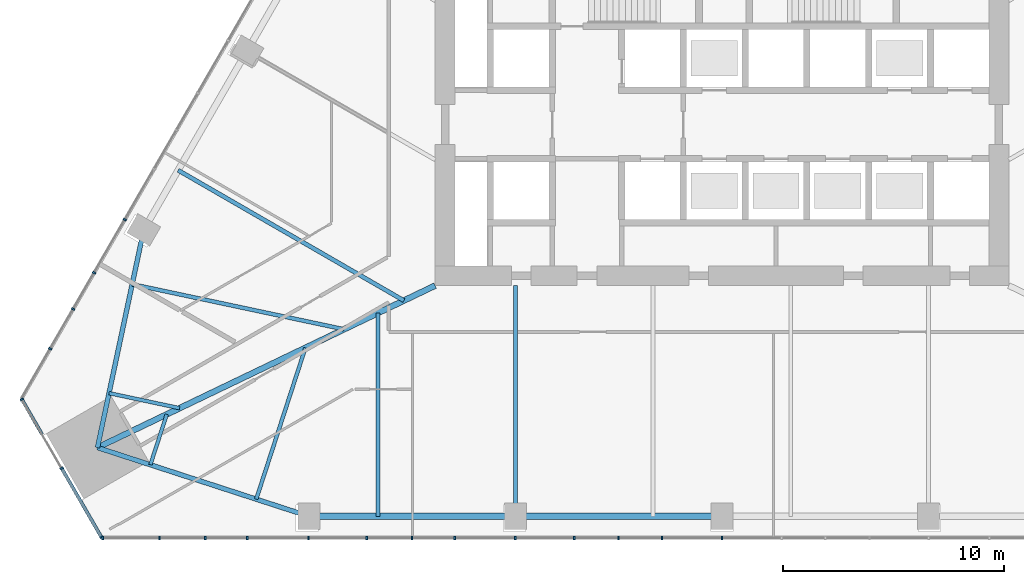
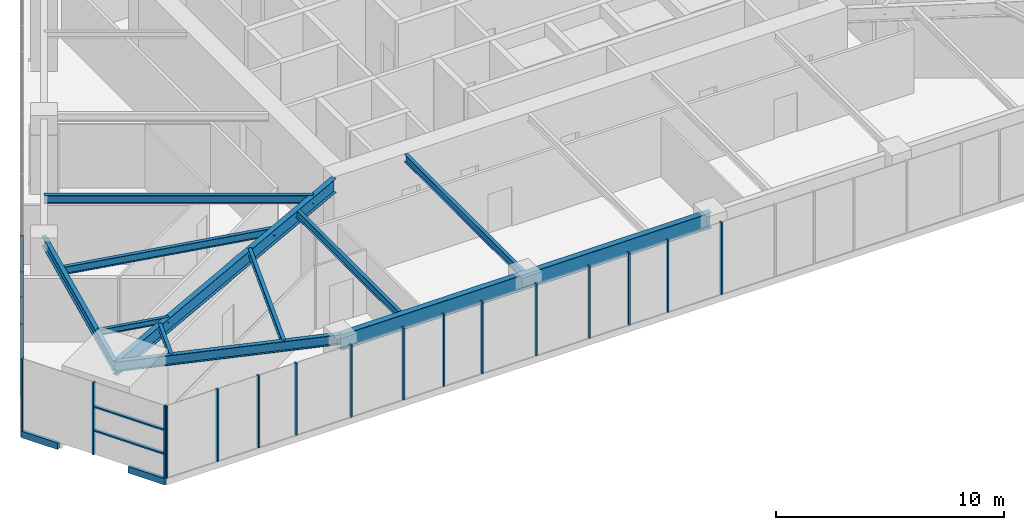
# One storey, part 2 of 19: 24 members, 11 beams, 3 elements without a shape of their own.
"""IFC4 building model written with IfcOpenShell, lengths in metres."""

import ifcopenshell
import ifcopenshell.guid

model = None  # the IFC model being written
_history = None  # IfcOwnerHistory: only IFC2X3 demands one
_inside = {}  # id of a spatial element -> (the spatial element, [elements in it])
_under = {}  # id of a project, library or spatial element -> (it, [spatial elements below it])
_declared = {}  # id of a project -> (the project, [libraries it declares])
_typed = {}  # id of a type object -> (the type object, [elements of that type])
_made_of = {}  # id of a material, layer set ... -> (it, [elements and type objects made of it])


def new_model(schema):
    """Start an empty IFC model of exactly this schema.

    Asked for "IFC4X3", IfcOpenShell would pick the latest addendum, in which some entities
    have other attributes; the version numbers below select the first issue.
    IFC2X3 requires an IfcOwnerHistory on every rooted entity: one is made here for all.
    """
    global model, _history
    if schema == "IFC4X3":
        model = ifcopenshell.file(schema_version=(4, 3, 0, 0))
    else:
        model = ifcopenshell.file(schema=schema)
    _inside.clear()
    _under.clear()
    _declared.clear()
    _typed.clear()
    _made_of.clear()
    _history = None
    if model.schema == "IFC2X3":
        org = make("IfcOrganization", Name="unknown")
        user = make(
            "IfcPersonAndOrganization",
            ThePerson=make("IfcPerson", FamilyName="unknown"),
            TheOrganization=org,
        )
        app = make(
            "IfcApplication",
            ApplicationDeveloper=org,
            Version="unknown",
            ApplicationFullName="unknown",
            ApplicationIdentifier="unknown",
        )
        _history = make(
            "IfcOwnerHistory",
            OwningUser=user,
            OwningApplication=app,
            ChangeAction="ADDED",
            CreationDate=0,
        )
    return model


def make(cls, **values):
    """One entity of the class cls with the attributes given. An attribute that is None is left unset."""
    return model.create_entity(
        cls, **{name: value for name, value in values.items() if value is not None}
    )


def rooted(cls, **values):
    """An entity with a GlobalId (a new one), such as an element, a storey or a relation."""
    return make(cls, GlobalId=ifcopenshell.guid.new(), OwnerHistory=_history, **values)


def si_unit(unit_type, name, prefix=None):
    """IfcSIUnit, for example si_unit("LENGTHUNIT", "METRE", prefix="MILLI")."""
    return make("IfcSIUnit", UnitType=unit_type, Prefix=prefix, Name=name)


def assignment(units):
    """IfcUnitAssignment: the units of a project."""
    return None if units is None else make("IfcUnitAssignment", Units=units)


def point(xyz):
    """IfcCartesianPoint."""
    return None if xyz is None else make("IfcCartesianPoint", Coordinates=xyz)


def direction(xyz):
    """IfcDirection."""
    return None if xyz is None else make("IfcDirection", DirectionRatios=xyz)


def frame(location, z_axis=None, x_axis=None):
    """IfcAxis2Placement3D, a coordinate frame: its origin and axes. An axis left out is left unset."""
    return make(
        "IfcAxis2Placement3D",
        Location=point(location),
        Axis=direction(z_axis),
        RefDirection=direction(x_axis),
    )


def frame_2d(location, x_axis=None):
    """IfcAxis2Placement2D, a coordinate frame in the plane: its origin and x axis."""
    return make(
        "IfcAxis2Placement2D", Location=point(location), RefDirection=direction(x_axis)
    )


def origin():
    """The frame at (0, 0, 0) with its axes left unset."""
    return frame((0.0, 0.0, 0.0))


def origin_2d():
    """The frame at (0, 0) in the plane with its x axis left unset."""
    return frame_2d((0.0, 0.0))


def place(relative_to, where):
    """IfcLocalPlacement: puts the frame where relative to a parent placement (None: the world)."""
    return make(
        "IfcLocalPlacement", PlacementRelTo=relative_to, RelativePlacement=where
    )


def context(
    kind, dimensions, precision=None, world=None, true_north=None, identifier=None
):
    """IfcGeometricRepresentationContext, for example the 3D "Model" context."""
    return make(
        "IfcGeometricRepresentationContext",
        ContextIdentifier=identifier,
        ContextType=kind,
        CoordinateSpaceDimension=dimensions,
        Precision=precision,
        WorldCoordinateSystem=world,
        TrueNorth=true_north,
    )


def subcontext(parent, identifier, kind, view, scale=None):
    """IfcGeometricRepresentationSubContext, for example "Body" below "Model"."""
    return make(
        "IfcGeometricRepresentationSubContext",
        ContextIdentifier=identifier,
        ContextType=kind,
        ParentContext=parent,
        TargetScale=scale,
        TargetView=view,
    )


def project(units=None, contexts=None):
    """IfcProject with its units and contexts."""
    return rooted(
        "IfcProject",
        Name="project",
        RepresentationContexts=contexts,
        UnitsInContext=assignment(units),
    )


def spatial(cls, under=None, at=None, **own):
    """A site, building, storey or space (cls), placed at a placement, below another one or the project."""
    s = rooted(cls, ObjectPlacement=at, **own)
    if under is not None:
        _under.setdefault(under.id(), (under, []))[1].append(s)
    return s


def profile(cls, at=None, kind="AREA", **sizes):
    """A parametric profile (cls). Its sizes go by their IFC names, for example OverallWidth=200.0."""
    return make(cls, ProfileType=kind, Position=at, **sizes)


def rectangle(**sizes):
    """IfcRectangleProfileDef."""
    return profile("IfcRectangleProfileDef", **sizes)


def i_section(**sizes):
    """IfcIShapeProfileDef."""
    return profile("IfcIShapeProfileDef", **sizes)


def extrude(swept, where, along, depth):
    """IfcExtrudedAreaSolid: the profile swept, set in the frame where, extruded along a direction by depth."""
    return make(
        "IfcExtrudedAreaSolid",
        SweptArea=swept,
        Position=where,
        ExtrudedDirection=direction(along),
        Depth=depth,
    )


def shape(context_of_items, identifier, shape_type, items):
    """IfcShapeRepresentation: the items that make up one representation, for example the "Body"."""
    return make(
        "IfcShapeRepresentation",
        ContextOfItems=context_of_items,
        RepresentationIdentifier=identifier,
        RepresentationType=shape_type,
        Items=items,
    )


def material(Name=None, Category=None):
    """IfcMaterial."""
    return make("IfcMaterial", Name=Name, Category=Category)


def layer(
    of_material, thickness, ventilated=None, Name=None, Category=None, Priority=None
):
    """IfcMaterialLayer: one layer of a wall or slab, of a material (None: an air gap)."""
    return make(
        "IfcMaterialLayer",
        Material=of_material,
        LayerThickness=thickness,
        IsVentilated=ventilated,
        Name=Name,
        Category=Category,
        Priority=Priority,
    )


def layer_set(layers, Name=None):
    """IfcMaterialLayerSet."""
    return make("IfcMaterialLayerSet", MaterialLayers=layers, LayerSetName=Name)


def material_profile(
    of_material, cross_section, Name=None, Category=None, Priority=None
):
    """IfcMaterialProfile: a cross section and its material."""
    return make(
        "IfcMaterialProfile",
        Name=Name,
        Material=of_material,
        Profile=cross_section,
        Priority=Priority,
        Category=Category,
    )


def profile_set(profiles, Name=None, composite=None):
    """IfcMaterialProfileSet."""
    return make(
        "IfcMaterialProfileSet",
        Name=Name,
        MaterialProfiles=profiles,
        CompositeProfile=composite,
    )


def made_of(thing, what):
    """Note that an element or type object is made of a material, layer set ...; save() writes the relation."""
    if what is not None:
        _made_of.setdefault(what.id(), (what, []))[1].append(thing)
    return thing


def type_object(cls, material=None, **own):
    """A type object (cls), such as IfcWallType, which elements share."""
    return made_of(rooted(cls, **own), material)


def element(
    cls,
    number,
    at=None,
    inside=None,
    cuts=None,
    type_object=None,
    material=None,
    context=None,
    identifier="Body",
    shape_type=None,
    held_by="IfcProductDefinitionShape",
    body=None,
    shapes=None,
    **own,
):
    """One element of the class cls, such as IfcWall. Its Tag is "e" and its number.

    at: its placement. inside: the storey or other place that contains it. cuts: it is an
    opening in that element (IfcRelVoidsElement). A single representation is given by context,
    identifier, shape_type and body (its items); several are given by shapes. held_by: the class
    of the entity that holds the representations. save() writes the other relations.
    """
    e = rooted(cls, Tag="e%d" % number, ObjectPlacement=at, **own)
    if body is not None:
        shapes = [shape(context, identifier, shape_type, body)]
    if shapes is not None:
        e.Representation = make(held_by, Representations=shapes)
    if inside is not None:
        _inside.setdefault(inside.id(), (inside, []))[1].append(e)
    if cuts is not None:
        rooted(
            "IfcRelVoidsElement", RelatingBuildingElement=cuts, RelatedOpeningElement=e
        )
    if type_object is not None:
        _typed.setdefault(type_object.id(), (type_object, []))[1].append(e)
    return made_of(e, material)


def aggregate(whole, parts):
    """IfcRelAggregates: a whole, such as a stair, and the parts it consists of."""
    return rooted("IfcRelAggregates", RelatingObject=whole, RelatedObjects=parts)


def save(model, path):
    """Write the relations noted so far, then the file.

    IfcRelAggregates (storeys below a building ...), IfcRelContainedInSpatialStructure (elements
    in a storey), IfcRelDefinesByType, IfcRelAssociatesMaterial and IfcRelDeclares: one each for
    every whole, place, type object, material and project.
    """
    for whole, parts in _under.values():
        aggregate(whole, parts)
    for where, things in _inside.values():
        rooted(
            "IfcRelContainedInSpatialStructure",
            RelatedElements=things,
            RelatingStructure=where,
        )
    for kind, things in _typed.values():
        rooted("IfcRelDefinesByType", RelatedObjects=things, RelatingType=kind)
    for what, things in _made_of.values():
        rooted("IfcRelAssociatesMaterial", RelatedObjects=things, RelatingMaterial=what)
    for by, libraries in _declared.values():
        rooted("IfcRelDeclares", RelatingContext=by, RelatedDefinitions=libraries)
    model.write(path)


model = new_model("IFC4")

# Units and contexts
model_context = context("Model", 3, precision=1e-05, world=origin(), true_north=direction((0.0, 1.0)))
body_context = subcontext(model_context, "Body", "Model", "MODEL_VIEW")
ifc_project = project(units=[si_unit("LENGTHUNIT", "METRE"), si_unit("AREAUNIT", "SQUARE_METRE"), si_unit("VOLUMEUNIT", "CUBIC_METRE"), si_unit("PLANEANGLEUNIT", "RADIAN"), si_unit("MASSUNIT", "GRAM", prefix="KILO")], contexts=[model_context])

# Site, building, storey
site_placement = place(None, origin())
site = spatial("IfcSite", under=ifc_project, at=site_placement, CompositionType="ELEMENT")
building_placement = place(site_placement, origin())
building = spatial("IfcBuilding", under=site, at=building_placement, Name="Firuza Gate Tower and Library", CompositionType="ELEMENT")
storey_placement = place(building_placement, frame((0.0, 0.0, 103.0)))
storey = spatial("IfcBuildingStorey", under=building, at=storey_placement, Name="L23", CompositionType="ELEMENT", Elevation=103.0)

# Curtain wall, members
ifc_material_1 = material(Name="Aluminium 6063-T6", Category="aluminium")
ifc_layer_1 = layer(ifc_material_1, 0.14990234375)
ifc_layer_set_1 = layer_set([ifc_layer_1], Name="Unitised curtain wall, offices")
curtain_wall_type_1 = type_object("IfcCurtainWallType", Name="Unitised curtain wall, offices", PredefinedType="NOTDEFINED", material=ifc_layer_set_1)
placement = place(storey_placement, origin())
curtain_wall_1 = element("IfcCurtainWall", 1, at=placement, inside=storey, type_object=curtain_wall_type_1, Name="CW1 L23 S face", PredefinedType="NOTDEFINED")
ifc_material_2 = material(Name="Aluminium 6063-T6", Category="aluminium")
ifc_material_profile_1 = material_profile(ifc_material_2, rectangle(XDim=0.14990234375, YDim=0.080078125, at=origin_2d()))
ifc_profile_set_1 = profile_set([ifc_material_profile_1], Name="Aluminium 6063-T6")
member_type_1 = type_object("IfcMemberType", Name="Curtain wall mullion 80x150", PredefinedType="MULLION", material=ifc_profile_set_1)
member_1_placement = place(storey_placement, frame((46.93408203125, 54.566162109375, 0.14990234375), z_axis=(0.0, 0.0, 1.0), x_axis=(0.0, 1.0, 0.0)))
member_1 = element("IfcMember", 2, at=member_1_placement, type_object=member_type_1, Name="Mullion", PredefinedType="MULLION", context=body_context, shape_type="SweptSolid", body=[
    extrude(rectangle(XDim=0.14990234375, YDim=0.080078125, at=origin_2d()), origin(), (0.0, 0.0, 1.0), 3.85009765625),
])
member_2_placement = place(storey_placement, frame((51.578369140625, 54.566162109375, 0.14990234375), z_axis=(0.0, 0.0, 1.0), x_axis=(0.0, 1.0, 0.0)))
member_2 = element("IfcMember", 3, at=member_2_placement, type_object=member_type_1, Name="Mullion", PredefinedType="MULLION", context=body_context, shape_type="SweptSolid", body=[
    extrude(rectangle(XDim=0.14990234375, YDim=0.080078125, at=origin_2d()), origin(), (0.0, 0.0, 1.0), 3.85009765625),
])
member_3_placement = place(storey_placement, frame((56.2626953125, 54.566162109375, 0.14990234375), z_axis=(0.0, 0.0, 1.0), x_axis=(0.0, 1.0, 0.0)))
member_3 = element("IfcMember", 4, at=member_3_placement, type_object=member_type_1, Name="Mullion", PredefinedType="MULLION", context=body_context, shape_type="SweptSolid", body=[
    extrude(rectangle(XDim=0.14990234375, YDim=0.080078125, at=origin_2d()), origin(), (0.0, 0.0, 1.0), 3.85009765625),
])
member_4_placement = place(storey_placement, frame((60.947021484375, 54.566162109375, 0.14990234375), z_axis=(0.0, 0.0, 1.0), x_axis=(0.0, 1.0, 0.0)))
member_4 = element("IfcMember", 5, at=member_4_placement, type_object=member_type_1, Name="Mullion", PredefinedType="MULLION", context=body_context, shape_type="SweptSolid", body=[
    extrude(rectangle(XDim=0.14990234375, YDim=0.080078125, at=origin_2d()), origin(), (0.0, 0.0, 1.0), 3.85009765625),
])
member_5_placement = place(storey_placement, frame((65.63134765625, 54.566162109375, 0.14990234375), z_axis=(0.0, 0.0, 1.0), x_axis=(0.0, 1.0, 0.0)))
member_5 = element("IfcMember", 6, at=member_5_placement, type_object=member_type_1, Name="Mullion", PredefinedType="MULLION", context=body_context, shape_type="SweptSolid", body=[
    extrude(rectangle(XDim=0.14990234375, YDim=0.080078125, at=origin_2d()), origin(), (0.0, 0.0, 1.0), 3.85009765625),
])
member_6_placement = place(storey_placement, frame((70.315673828125, 54.566162109375, 0.14990234375), z_axis=(0.0, 0.0, 1.0), x_axis=(0.0, 1.0, 0.0)))
member_6 = element("IfcMember", 7, at=member_6_placement, type_object=member_type_1, Name="Mullion", PredefinedType="MULLION", context=body_context, shape_type="SweptSolid", body=[
    extrude(rectangle(XDim=0.14990234375, YDim=0.080078125, at=origin_2d()), origin(), (0.0, 0.0, 1.0), 3.85009765625),
])
member_7_placement = place(storey_placement, frame((75.0, 54.566162109375, 0.14990234375), z_axis=(0.0, 0.0, 1.0), x_axis=(0.0, 1.0, 0.0)))
member_7 = element("IfcMember", 8, at=member_7_placement, type_object=member_type_1, Name="Mullion", PredefinedType="MULLION", context=body_context, shape_type="SweptSolid", body=[
    extrude(rectangle(XDim=0.14990234375, YDim=0.080078125, at=origin_2d()), origin(), (0.0, 0.0, 1.0), 3.85009765625),
])
member_8_placement = place(storey_placement, frame((49.5029296875, 54.566162109375, 0.14990234375), z_axis=(0.0, 0.0, 1.0), x_axis=(0.0, 1.0, 0.0)))
member_8 = element("IfcMember", 9, at=member_8_placement, type_object=member_type_1, Name="Mullion", PredefinedType="MULLION", context=body_context, shape_type="SweptSolid", body=[
    extrude(rectangle(XDim=0.14990234375, YDim=0.080078125, at=origin_2d()), origin(), (0.0, 0.0, 1.0), 3.85009765625),
])
member_9_placement = place(storey_placement, frame((53.480224609375, 54.566162109375, 0.14990234375), z_axis=(0.0, 0.0, 1.0), x_axis=(0.0, 1.0, 0.0)))
member_9 = element("IfcMember", 10, at=member_9_placement, type_object=member_type_1, Name="Mullion", PredefinedType="MULLION", context=body_context, shape_type="SweptSolid", body=[
    extrude(rectangle(XDim=0.14990234375, YDim=0.080078125, at=origin_2d()), origin(), (0.0, 0.0, 1.0), 3.85009765625),
])
member_10_placement = place(storey_placement, frame((58.90625, 54.566162109375, 0.14990234375), z_axis=(0.0, 0.0, 1.0), x_axis=(0.0, 1.0, 0.0)))
member_10 = element("IfcMember", 11, at=member_10_placement, type_object=member_type_1, Name="Mullion", PredefinedType="MULLION", context=body_context, shape_type="SweptSolid", body=[
    extrude(rectangle(XDim=0.14990234375, YDim=0.080078125, at=origin_2d()), origin(), (0.0, 0.0, 1.0), 3.85009765625),
])
member_11_placement = place(storey_placement, frame((62.883544921875, 54.566162109375, 0.14990234375), z_axis=(0.0, 0.0, 1.0), x_axis=(0.0, 1.0, 0.0)))
member_11 = element("IfcMember", 12, at=member_11_placement, type_object=member_type_1, Name="Mullion", PredefinedType="MULLION", context=body_context, shape_type="SweptSolid", body=[
    extrude(rectangle(XDim=0.14990234375, YDim=0.080078125, at=origin_2d()), origin(), (0.0, 0.0, 1.0), 3.85009765625),
])
member_12_placement = place(storey_placement, frame((68.3095703125, 54.566162109375, 0.14990234375), z_axis=(0.0, 0.0, 1.0), x_axis=(0.0, 1.0, 0.0)))
member_12 = element("IfcMember", 13, at=member_12_placement, type_object=member_type_1, Name="Mullion", PredefinedType="MULLION", context=body_context, shape_type="SweptSolid", body=[
    extrude(rectangle(XDim=0.14990234375, YDim=0.080078125, at=origin_2d()), origin(), (0.0, 0.0, 1.0), 3.85009765625),
])
member_13_placement = place(storey_placement, frame((72.287109375, 54.566162109375, 0.14990234375), z_axis=(0.0, 0.0, 1.0), x_axis=(0.0, 1.0, 0.0)))
member_13 = element("IfcMember", 14, at=member_13_placement, type_object=member_type_1, Name="Mullion", PredefinedType="MULLION", context=body_context, shape_type="SweptSolid", body=[
    extrude(rectangle(XDim=0.14990234375, YDim=0.080078125, at=origin_2d()), origin(), (0.0, 0.0, 1.0), 3.85009765625),
])
aggregate(curtain_wall_1, [member_1, member_2, member_3, member_4, member_5, member_6, member_7, member_8, member_9, member_10, member_11, member_12, member_13])

curtain_wall_2 = element("IfcCurtainWall", 15, at=placement, inside=storey, type_object=curtain_wall_type_1, Name="CW1 L23 W face", PredefinedType="NOTDEFINED")
member_14_placement = place(storey_placement, frame((47.93505859375, 68.989990234375, 0.14990234375), z_axis=(0.0, 0.0, 1.0), x_axis=(0.866025403784, -0.5, 0.0)))
member_14 = element("IfcMember", 16, at=member_14_placement, type_object=member_type_1, Name="Mullion", PredefinedType="MULLION", context=body_context, shape_type="SweptSolid", body=[
    extrude(rectangle(XDim=0.14990234375, YDim=0.080078125, at=origin_2d()), origin(), (0.0, 0.0, 1.0), 3.85009765625),
])
member_15_placement = place(storey_placement, frame((45.593017578125, 64.933349609375, 0.14990234375), z_axis=(0.0, 0.0, 1.0), x_axis=(0.866025403784, -0.5, 0.0)))
member_15 = element("IfcMember", 17, at=member_15_placement, type_object=member_type_1, Name="Mullion", PredefinedType="MULLION", context=body_context, shape_type="SweptSolid", body=[
    extrude(rectangle(XDim=0.14990234375, YDim=0.080078125, at=origin_2d()), origin(), (0.0, 0.0, 1.0), 3.85009765625),
])
member_16_placement = place(storey_placement, frame((46.5439453125, 66.580322265625, 0.14990234375), z_axis=(0.0, 0.0, 1.0), x_axis=(0.866025403784, -0.5, 0.0)))
member_16 = element("IfcMember", 18, at=member_16_placement, type_object=member_type_1, Name="Mullion", PredefinedType="MULLION", context=body_context, shape_type="SweptSolid", body=[
    extrude(rectangle(XDim=0.14990234375, YDim=0.080078125, at=origin_2d()), origin(), (0.0, 0.0, 1.0), 3.85009765625),
])
member_17_placement = place(storey_placement, frame((44.55517578125, 63.1357421875, 0.14990234375), z_axis=(0.0, 0.0, 1.0), x_axis=(0.866025403784, -0.5, 0.0)))
member_17 = element("IfcMember", 19, at=member_17_placement, type_object=member_type_1, Name="Mullion", PredefinedType="MULLION", context=body_context, shape_type="SweptSolid", body=[
    extrude(rectangle(XDim=0.14990234375, YDim=0.080078125, at=origin_2d()), origin(), (0.0, 0.0, 1.0), 3.85009765625),
])
aggregate(curtain_wall_2, [member_14, member_15, member_16, member_17])

ifc_material_3 = material(Name="Aluminium 6063-T6", Category="aluminium")
ifc_layer_2 = layer(ifc_material_3, 0.14990234375)
ifc_layer_set_2 = layer_set([ifc_layer_2], Name="Corner curtain wall, chamfers")
curtain_wall_type_2 = type_object("IfcCurtainWallType", Name="Corner curtain wall, chamfers", PredefinedType="NOTDEFINED", material=ifc_layer_set_2)
curtain_wall_3 = element("IfcCurtainWall", 20, at=placement, inside=storey, type_object=curtain_wall_type_2, Name="CW4 L23 SW corner", PredefinedType="NOTDEFINED")
member_18_placement = place(storey_placement, frame((43.270751953125, 60.841796875, 0.14990234375), z_axis=(0.0, 0.0, 1.0), x_axis=(0.866025403784, 0.5, 0.0)))
member_18 = element("IfcMember", 21, at=member_18_placement, type_object=member_type_1, Name="Mullion", PredefinedType="MULLION", context=body_context, shape_type="SweptSolid", body=[
    extrude(rectangle(XDim=0.14990234375, YDim=0.080078125, at=origin_2d()), origin(), (0.0, 0.0, 1.0), 3.85009765625),
])
member_19_placement = place(storey_placement, frame((45.072509765625, 57.72119140625, 0.14990234375), z_axis=(0.0, 0.0, 1.0), x_axis=(0.866025403784, 0.5, 0.0)))
member_19 = element("IfcMember", 22, at=member_19_placement, type_object=member_type_1, Name="Mullion", PredefinedType="MULLION", context=body_context, shape_type="SweptSolid", body=[
    extrude(rectangle(XDim=0.14990234375, YDim=0.080078125, at=origin_2d()), origin(), (0.0, 0.0, 1.0), 3.85009765625),
])
member_20_placement = place(storey_placement, frame((46.8740234375, 54.600830078125, 0.14990234375), z_axis=(0.0, 0.0, 1.0), x_axis=(0.866025403784, 0.5, 0.0)))
member_20 = element("IfcMember", 23, at=member_20_placement, type_object=member_type_1, Name="Mullion", PredefinedType="MULLION", context=body_context, shape_type="SweptSolid", body=[
    extrude(rectangle(XDim=0.14990234375, YDim=0.080078125, at=origin_2d()), origin(), (0.0, 0.0, 1.0), 3.85009765625),
])
ifc_material_4 = material(Name="Aluminium 6063-T6", Category="aluminium")
ifc_material_profile_2 = material_profile(ifc_material_4, rectangle(XDim=0.14990234375, YDim=0.35009765625, at=origin_2d()))
ifc_profile_set_2 = profile_set([ifc_material_profile_2], Name="Aluminium 6063-T6")
member_type_2 = type_object("IfcMemberType", Name="Curtain wall transom 350x150", PredefinedType="USERDEFINED", material=ifc_profile_set_2)
member_21_placement = place(storey_placement, frame((43.250732421875, 60.87646484375, -0.02490234375), z_axis=(0.500070225731, -0.865984855143, 0.0), x_axis=(0.865984855143, 0.500070225731, 0.0)))
member_21 = element("IfcMember", 24, at=member_21_placement, type_object=member_type_2, Name="Transom", ObjectType="TRANSOM", PredefinedType="USERDEFINED", context=body_context, shape_type="SweptSolid", body=[
    extrude(rectangle(XDim=0.14990234375, YDim=0.35009765625, at=origin_2d()), origin(), (0.0, 0.0, 1.0), 1.863525390625),
])
member_22_placement = place(storey_placement, frame((45.96240234375, 56.179931640625, -0.02490234375), z_axis=(0.499971966783, -0.866041588165, 0.0), x_axis=(0.866041588165, 0.499971966783, 0.0)))
member_22 = element("IfcMember", 25, at=member_22_placement, type_object=member_type_2, Name="Transom", ObjectType="TRANSOM", PredefinedType="USERDEFINED", context=body_context, shape_type="SweptSolid", body=[
    extrude(rectangle(XDim=0.14990234375, YDim=0.35009765625, at=origin_2d()), origin(), (0.0, 0.0, 1.0), 1.86328125),
])
ifc_material_5 = material(Name="Aluminium 6063-T6", Category="aluminium")
ifc_material_profile_3 = material_profile(ifc_material_5, rectangle(XDim=0.14990234375, YDim=0.080078125, at=origin_2d()))
ifc_profile_set_3 = profile_set([ifc_material_profile_3], Name="Aluminium 6063-T6")
member_type_3 = type_object("IfcMemberType", Name="Curtain wall transom 80x150", PredefinedType="USERDEFINED", material=ifc_profile_set_3)
member_23_placement = place(storey_placement, frame((45.092529296875, 57.686767578125, 1.449951171875), z_axis=(0.49996364809, -0.866046390552, 0.0), x_axis=(0.866046390552, 0.49996364809, 0.0)))
member_23 = element("IfcMember", 26, at=member_23_placement, type_object=member_type_3, Name="Transom", ObjectType="TRANSOM", PredefinedType="USERDEFINED", context=body_context, shape_type="SweptSolid", body=[
    extrude(rectangle(XDim=0.14990234375, YDim=0.080078125, at=origin_2d()), origin(), (0.0, 0.0, 1.0), 3.563232421875),
])
member_24_placement = place(storey_placement, frame((45.092529296875, 57.686767578125, 2.72509765625), z_axis=(0.49996364809, -0.866046390552, 0.0), x_axis=(0.866046390552, 0.49996364809, 0.0)))
member_24 = element("IfcMember", 27, at=member_24_placement, type_object=member_type_3, Name="Transom", ObjectType="TRANSOM", PredefinedType="USERDEFINED", context=body_context, shape_type="SweptSolid", body=[
    extrude(rectangle(XDim=0.14990234375, YDim=0.080078125, at=origin_2d()), origin(), (0.0, 0.0, 1.0), 3.563232421875),
])
aggregate(curtain_wall_3, [member_18, member_19, member_20, member_21, member_22, member_23, member_24])

# Beams
ifc_material_6 = material(Name="Steel S355", Category="steel")
ifc_material_profile_4 = material_profile(ifc_material_6, i_section(OverallWidth=0.1650390625, OverallDepth=0.31005859375, WebThickness=0.005859375, FlangeThickness=0.009765625, at=origin_2d()))
ifc_profile_set_4 = profile_set([ifc_material_profile_4], Name="Steel S355")
beam_type_1 = type_object("IfcBeamType", Name="W310x39 Floor beam", PredefinedType="JOIST", material=ifc_profile_set_4)
beam_1_placement = place(storey_placement, frame((47.220703125, 61.1259765625, 3.844970703125), z_axis=(0.97813855531, -0.207954241639, 0.0), x_axis=(0.207954241639, 0.97813855531, 0.0)))
element("IfcBeam", 28, at=beam_1_placement, inside=storey, type_object=beam_type_1, Name="Floor beam L23 s01", PredefinedType="JOIST", context=body_context, shape_type="SweptSolid", body=[
    extrude(i_section(OverallWidth=0.1650390625, OverallDepth=0.31005859375, WebThickness=0.005859375, FlangeThickness=0.009765625, at=origin_2d()), origin(), (0.0, 0.0, 1.0), 3.27197265625),
])
beam_2_placement = place(storey_placement, frame((49.094970703125, 57.87939453125, 3.844970703125), z_axis=(0.308998819995, 0.951062421317, 0.0), x_axis=(-0.951062421317, 0.308998819995, 0.0)))
element("IfcBeam", 29, at=beam_2_placement, inside=storey, type_object=beam_type_1, Name="Floor beam L23 s10", PredefinedType="JOIST", context=body_context, shape_type="SweptSolid", body=[
    extrude(i_section(OverallWidth=0.1650390625, OverallDepth=0.31005859375, WebThickness=0.005859375, FlangeThickness=0.009765625, at=origin_2d()), origin(), (0.0, 0.0, 1.0), 2.404296875),
])
ifc_material_7 = material(Name="Steel S355", Category="steel")
ifc_material_profile_5 = material_profile(ifc_material_7, i_section(OverallWidth=0.1708984375, OverallDepth=0.35498046875, WebThickness=0.007080078125, FlangeThickness=0.01171875, at=origin_2d()))
ifc_profile_set_5 = profile_set([ifc_material_profile_5], Name="Steel S355")
beam_type_2 = type_object("IfcBeamType", Name="W360x51 Floor beam", PredefinedType="JOIST", material=ifc_profile_set_5)
beam_3_placement = place(storey_placement, frame((53.892822265625, 56.320556640625, 3.822509765625), z_axis=(0.309008767466, 0.951059189341, 0.0), x_axis=(-0.951059189341, 0.309008767466, 0.0)))
element("IfcBeam", 30, at=beam_3_placement, inside=storey, type_object=beam_type_2, Name="Floor beam L23 s11", PredefinedType="JOIST", context=body_context, shape_type="SweptSolid", body=[
    extrude(i_section(OverallWidth=0.1708984375, OverallDepth=0.35498046875, WebThickness=0.007080078125, FlangeThickness=0.01171875, at=origin_2d()), origin(), (0.0, 0.0, 1.0), 7.212646484375),
])
ifc_material_8 = material(Name="Steel S355", Category="steel")
ifc_material_profile_6 = material_profile(ifc_material_8, i_section(OverallWidth=0.177978515625, OverallDepth=0.406982421875, WebThickness=0.0078125, FlangeThickness=0.0126953125, at=origin_2d()))
ifc_profile_set_6 = profile_set([ifc_material_profile_6], Name="Steel S355")
beam_type_3 = type_object("IfcBeamType", Name="W410x60 Floor beam", PredefinedType="JOIST", material=ifc_profile_set_6)
beam_4_placement = place(storey_placement, frame((48.26953125, 66.060302734375, 3.79638671875), z_axis=(0.978144689505, -0.207925386601, 0.0), x_axis=(0.207925386601, 0.978144689505, 0.0)))
element("IfcBeam", 31, at=beam_4_placement, inside=storey, type_object=beam_type_3, Name="Floor beam L23 s00", PredefinedType="JOIST", context=body_context, shape_type="SweptSolid", body=[
    extrude(i_section(OverallWidth=0.177978515625, OverallDepth=0.406982421875, WebThickness=0.0078125, FlangeThickness=0.0126953125, at=origin_2d()), origin(), (0.0, 0.0, 1.0), 9.816162109375),
])
beam_5_placement = place(storey_placement, frame((59.40966796875, 55.541015625, 3.79638671875), z_axis=(0.0, 1.0, 0.0), x_axis=(-1.0, 0.0, 0.0)))
element("IfcBeam", 32, at=beam_5_placement, inside=storey, type_object=beam_type_3, Name="Floor beam L23 s20", PredefinedType="JOIST", context=body_context, shape_type="SweptSolid", body=[
    extrude(i_section(OverallWidth=0.177978515625, OverallDepth=0.406982421875, WebThickness=0.0078125, FlangeThickness=0.0126953125, at=origin_2d()), origin(), (0.0, 0.0, 1.0), 9.21630859375),
])
beam_6_placement = place(storey_placement, frame((65.645751953125, 55.541015625, 3.79638671875), z_axis=(0.0, 1.0, 0.0), x_axis=(-1.0, 0.0, 0.0)))
element("IfcBeam", 33, at=beam_6_placement, inside=storey, type_object=beam_type_3, Name="Floor beam L23 s21", PredefinedType="JOIST", context=body_context, shape_type="SweptSolid", body=[
    extrude(i_section(OverallWidth=0.177978515625, OverallDepth=0.406982421875, WebThickness=0.0078125, FlangeThickness=0.0126953125, at=origin_2d()), origin(), (0.0, 0.0, 1.0), 10.458984375),
])
ifc_material_9 = material(Name="Steel S355", Category="steel")
ifc_material_profile_7 = material_profile(ifc_material_9, i_section(OverallWidth=0.18994140625, OverallDepth=0.45703125, WebThickness=0.009033203125, FlangeThickness=0.014404296875, at=origin_2d()))
ifc_profile_set_7 = profile_set([ifc_material_profile_7], Name="Steel S355")
beam_type_4 = type_object("IfcBeamType", Name="W460x74 Floor beam", PredefinedType="JOIST", material=ifc_profile_set_7)
beam_7_placement = place(storey_placement, frame((50.35302734375, 71.227783203125, 3.771484375), z_axis=(0.866025562448, -0.499999725187, 0.0), x_axis=(0.499999725187, 0.866025562448, 0.0)))
element("IfcBeam", 34, at=beam_7_placement, inside=storey, type_object=beam_type_4, Name="Floor beam L23 s85", PredefinedType="JOIST", context=body_context, shape_type="SweptSolid", body=[
    extrude(i_section(OverallWidth=0.18994140625, OverallDepth=0.45703125, WebThickness=0.009033203125, FlangeThickness=0.014404296875, at=origin_2d()), origin(), (0.0, 0.0, 1.0), 11.81396484375),
])
ifc_material_10 = material(Name="Steel S355", Category="steel")
ifc_material_profile_8 = material_profile(ifc_material_10, i_section(OverallWidth=0.212890625, OverallDepth=0.5390625, WebThickness=0.01171875, FlangeThickness=0.018798828125, at=origin_2d()))
ifc_profile_set_8 = profile_set([ifc_material_profile_8], Name="Steel S355")
beam_type_5 = type_object("IfcBeamType", Name="W530x109 Edge beam", PredefinedType="SPANDREL", material=ifc_profile_set_8)
beam_8_placement = place(storey_placement, frame((48.7939453125, 68.527587890625, 3.73046875), z_axis=(-0.207907664892, -0.978148456462, 0.0), x_axis=(0.978148456462, -0.207907664892, 0.0)))
element("IfcBeam", 35, at=beam_8_placement, inside=storey, type_object=beam_type_5, Name="Edge beam L23 e00", PredefinedType="SPANDREL", context=body_context, shape_type="SweptSolid", body=[
    extrude(i_section(OverallWidth=0.212890625, OverallDepth=0.5390625, WebThickness=0.01171875, FlangeThickness=0.018798828125, at=origin_2d()), origin(), (0.0, 0.0, 1.0), 10.08935546875),
])
beam_9_placement = place(storey_placement, frame((46.6962890625, 58.65869140625, 3.73046875), z_axis=(0.951056472923, -0.309017127862, 0.0), x_axis=(0.309017127862, 0.951056472923, 0.0)))
element("IfcBeam", 36, at=beam_9_placement, inside=storey, type_object=beam_type_5, Name="Edge beam L23 e10", PredefinedType="SPANDREL", context=body_context, shape_type="SweptSolid", body=[
    extrude(i_section(OverallWidth=0.212890625, OverallDepth=0.5390625, WebThickness=0.01171875, FlangeThickness=0.018798828125, at=origin_2d()), origin(), (0.0, 0.0, 1.0), 10.089111328125),
])
ifc_material_11 = material(Name="Steel S355", Category="steel")
ifc_material_profile_9 = material_profile(ifc_material_11, i_section(OverallWidth=0.264892578125, OverallDepth=0.7529296875, WebThickness=0.01318359375, FlangeThickness=0.01708984375, at=origin_2d()))
ifc_profile_set_9 = profile_set([ifc_material_profile_9], Name="Steel S355")
beam_type_6 = type_object("IfcBeamType", Name="W760x147 Girder", PredefinedType="BEAM", material=ifc_profile_set_9)
beam_10_placement = place(storey_placement, frame((46.6962890625, 58.65869140625, 3.62353515625), z_axis=(0.901625831299, 0.43251689023, 0.0), x_axis=(-0.43251689023, 0.901625831299, 0.0)))
element("IfcBeam", 37, at=beam_10_placement, inside=storey, type_object=beam_type_6, Name="Girder L23 gSW", PredefinedType="BEAM", context=body_context, shape_type="SweptSolid", body=[
    extrude(i_section(OverallWidth=0.264892578125, OverallDepth=0.7529296875, WebThickness=0.01318359375, FlangeThickness=0.01708984375, at=origin_2d()), origin(), (0.0, 0.0, 1.0), 16.973388671875),
])
ifc_material_12 = material(Name="Steel S355", Category="steel")
ifc_material_profile_10 = material_profile(ifc_material_12, i_section(OverallWidth=0.2919921875, OverallDepth=0.8349609375, WebThickness=0.013916015625, FlangeThickness=0.018798828125, at=origin_2d()))
ifc_profile_set_10 = profile_set([ifc_material_profile_10], Name="Steel S355")
beam_type_7 = type_object("IfcBeamType", Name="W840x176 Edge beam", PredefinedType="SPANDREL", material=ifc_profile_set_10)
beam_11_placement = place(storey_placement, frame((56.29150390625, 55.541015625, 3.58251953125), z_axis=(1.0, 0.0, 0.0), x_axis=(0.0, 1.0, 0.0)))
element("IfcBeam", 38, at=beam_11_placement, inside=storey, type_object=beam_type_7, Name="Edge beam L23 e20", PredefinedType="SPANDREL", context=body_context, shape_type="SweptSolid", body=[
    extrude(i_section(OverallWidth=0.2919921875, OverallDepth=0.8349609375, WebThickness=0.013916015625, FlangeThickness=0.018798828125, at=origin_2d()), origin(), (0.0, 0.0, 1.0), 18.70849609375),
])

save(model, "model.ifc")
